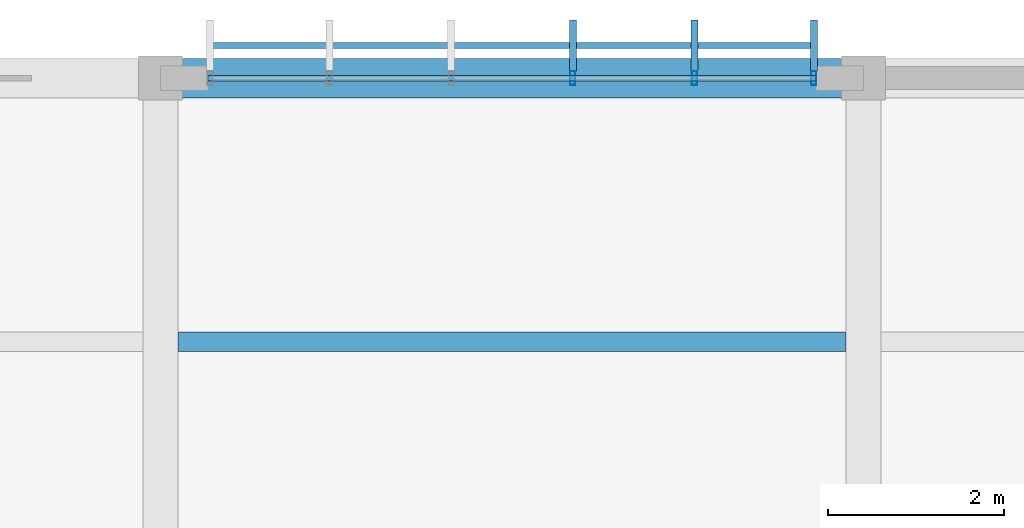
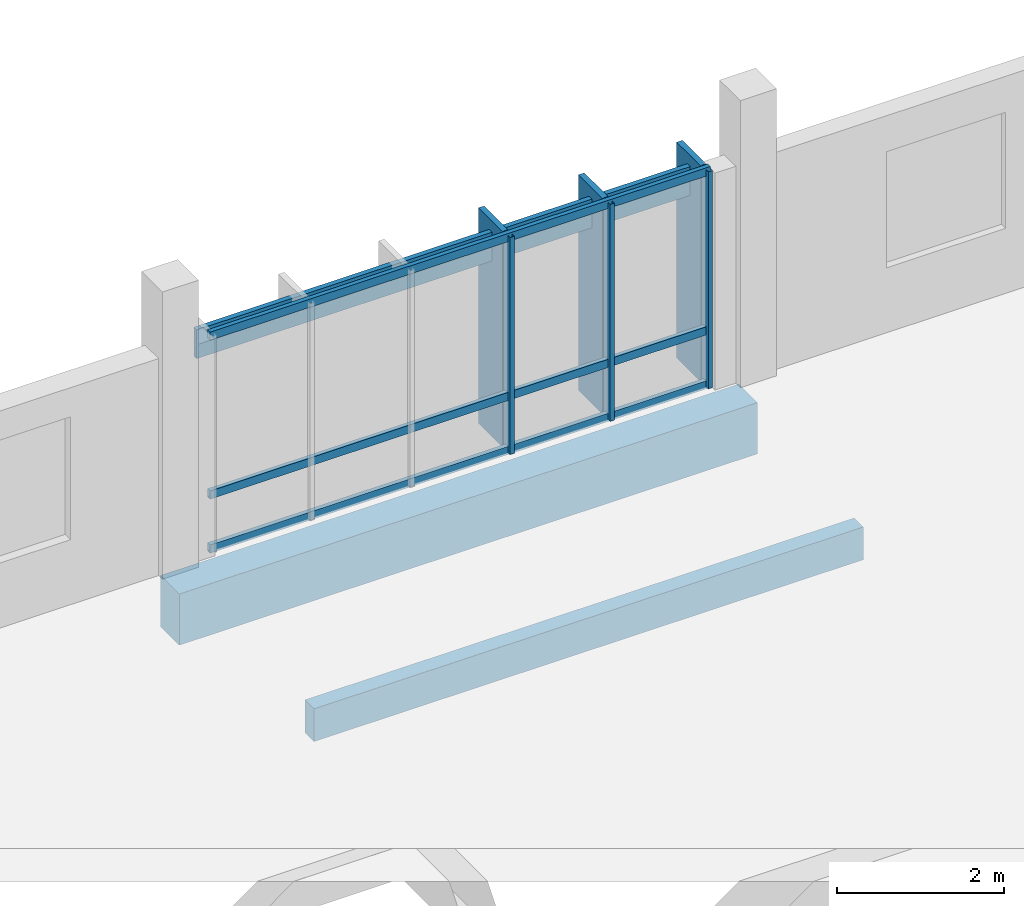
# One storey, part 126 of 182: 10 members, 2 beams, 1 element without a shape of its own.
"""IFC4 building model written with IfcOpenShell, lengths in metres."""

import ifcopenshell
import ifcopenshell.guid

model = None  # the IFC model being written
_history = None  # IfcOwnerHistory: only IFC2X3 demands one
_inside = {}  # id of a spatial element -> (the spatial element, [elements in it])
_under = {}  # id of a project, library or spatial element -> (it, [spatial elements below it])
_declared = {}  # id of a project -> (the project, [libraries it declares])
_typed = {}  # id of a type object -> (the type object, [elements of that type])
_made_of = {}  # id of a material, layer set ... -> (it, [elements and type objects made of it])


def new_model(schema):
    """Start an empty IFC model of exactly this schema.

    Asked for "IFC4X3", IfcOpenShell would pick the latest addendum, in which some entities
    have other attributes; the version numbers below select the first issue.
    IFC2X3 requires an IfcOwnerHistory on every rooted entity: one is made here for all.
    """
    global model, _history
    if schema == "IFC4X3":
        model = ifcopenshell.file(schema_version=(4, 3, 0, 0))
    else:
        model = ifcopenshell.file(schema=schema)
    _inside.clear()
    _under.clear()
    _declared.clear()
    _typed.clear()
    _made_of.clear()
    _history = None
    if model.schema == "IFC2X3":
        org = make("IfcOrganization", Name="unknown")
        user = make(
            "IfcPersonAndOrganization",
            ThePerson=make("IfcPerson", FamilyName="unknown"),
            TheOrganization=org,
        )
        app = make(
            "IfcApplication",
            ApplicationDeveloper=org,
            Version="unknown",
            ApplicationFullName="unknown",
            ApplicationIdentifier="unknown",
        )
        _history = make(
            "IfcOwnerHistory",
            OwningUser=user,
            OwningApplication=app,
            ChangeAction="ADDED",
            CreationDate=0,
        )
    return model


def make(cls, **values):
    """One entity of the class cls with the attributes given. An attribute that is None is left unset."""
    return model.create_entity(
        cls, **{name: value for name, value in values.items() if value is not None}
    )


def rooted(cls, **values):
    """An entity with a GlobalId (a new one), such as an element, a storey or a relation."""
    return make(cls, GlobalId=ifcopenshell.guid.new(), OwnerHistory=_history, **values)


def si_unit(unit_type, name, prefix=None):
    """IfcSIUnit, for example si_unit("LENGTHUNIT", "METRE", prefix="MILLI")."""
    return make("IfcSIUnit", UnitType=unit_type, Prefix=prefix, Name=name)


def assignment(units):
    """IfcUnitAssignment: the units of a project."""
    return None if units is None else make("IfcUnitAssignment", Units=units)


def point(xyz):
    """IfcCartesianPoint."""
    return None if xyz is None else make("IfcCartesianPoint", Coordinates=xyz)


def direction(xyz):
    """IfcDirection."""
    return None if xyz is None else make("IfcDirection", DirectionRatios=xyz)


def frame(location, z_axis=None, x_axis=None):
    """IfcAxis2Placement3D, a coordinate frame: its origin and axes. An axis left out is left unset."""
    return make(
        "IfcAxis2Placement3D",
        Location=point(location),
        Axis=direction(z_axis),
        RefDirection=direction(x_axis),
    )


def frame_2d(location, x_axis=None):
    """IfcAxis2Placement2D, a coordinate frame in the plane: its origin and x axis."""
    return make(
        "IfcAxis2Placement2D", Location=point(location), RefDirection=direction(x_axis)
    )


def origin():
    """The frame at (0, 0, 0) with its axes left unset."""
    return frame((0.0, 0.0, 0.0))


def origin_2d():
    """The frame at (0, 0) in the plane with its x axis left unset."""
    return frame_2d((0.0, 0.0))


def place(relative_to, where):
    """IfcLocalPlacement: puts the frame where relative to a parent placement (None: the world)."""
    return make(
        "IfcLocalPlacement", PlacementRelTo=relative_to, RelativePlacement=where
    )


def context(
    kind, dimensions, precision=None, world=None, true_north=None, identifier=None
):
    """IfcGeometricRepresentationContext, for example the 3D "Model" context."""
    return make(
        "IfcGeometricRepresentationContext",
        ContextIdentifier=identifier,
        ContextType=kind,
        CoordinateSpaceDimension=dimensions,
        Precision=precision,
        WorldCoordinateSystem=world,
        TrueNorth=true_north,
    )


def subcontext(parent, identifier, kind, view, scale=None):
    """IfcGeometricRepresentationSubContext, for example "Body" below "Model"."""
    return make(
        "IfcGeometricRepresentationSubContext",
        ContextIdentifier=identifier,
        ContextType=kind,
        ParentContext=parent,
        TargetScale=scale,
        TargetView=view,
    )


def project(units=None, contexts=None):
    """IfcProject with its units and contexts."""
    return rooted(
        "IfcProject",
        Name="project",
        RepresentationContexts=contexts,
        UnitsInContext=assignment(units),
    )


def spatial(cls, under=None, at=None, **own):
    """A site, building, storey or space (cls), placed at a placement, below another one or the project."""
    s = rooted(cls, ObjectPlacement=at, **own)
    if under is not None:
        _under.setdefault(under.id(), (under, []))[1].append(s)
    return s


def profile(cls, at=None, kind="AREA", **sizes):
    """A parametric profile (cls). Its sizes go by their IFC names, for example OverallWidth=200.0."""
    return make(cls, ProfileType=kind, Position=at, **sizes)


def rectangle(**sizes):
    """IfcRectangleProfileDef."""
    return profile("IfcRectangleProfileDef", **sizes)


def hollow_rectangle(**sizes):
    """IfcRectangleHollowProfileDef."""
    return profile("IfcRectangleHollowProfileDef", **sizes)


def extrude(swept, where, along, depth):
    """IfcExtrudedAreaSolid: the profile swept, set in the frame where, extruded along a direction by depth."""
    return make(
        "IfcExtrudedAreaSolid",
        SweptArea=swept,
        Position=where,
        ExtrudedDirection=direction(along),
        Depth=depth,
    )


def shape(context_of_items, identifier, shape_type, items):
    """IfcShapeRepresentation: the items that make up one representation, for example the "Body"."""
    return make(
        "IfcShapeRepresentation",
        ContextOfItems=context_of_items,
        RepresentationIdentifier=identifier,
        RepresentationType=shape_type,
        Items=items,
    )


def material(Name=None, Category=None):
    """IfcMaterial."""
    return make("IfcMaterial", Name=Name, Category=Category)


def material_profile(
    of_material, cross_section, Name=None, Category=None, Priority=None
):
    """IfcMaterialProfile: a cross section and its material."""
    return make(
        "IfcMaterialProfile",
        Name=Name,
        Material=of_material,
        Profile=cross_section,
        Priority=Priority,
        Category=Category,
    )


def profile_set(profiles, Name=None, composite=None):
    """IfcMaterialProfileSet."""
    return make(
        "IfcMaterialProfileSet",
        Name=Name,
        MaterialProfiles=profiles,
        CompositeProfile=composite,
    )


def made_of(thing, what):
    """Note that an element or type object is made of a material, layer set ...; save() writes the relation."""
    if what is not None:
        _made_of.setdefault(what.id(), (what, []))[1].append(thing)
    return thing


def type_object(cls, material=None, **own):
    """A type object (cls), such as IfcWallType, which elements share."""
    return made_of(rooted(cls, **own), material)


def element(
    cls,
    number,
    at=None,
    inside=None,
    cuts=None,
    type_object=None,
    material=None,
    context=None,
    identifier="Body",
    shape_type=None,
    held_by="IfcProductDefinitionShape",
    body=None,
    shapes=None,
    **own,
):
    """One element of the class cls, such as IfcWall. Its Tag is "e" and its number.

    at: its placement. inside: the storey or other place that contains it. cuts: it is an
    opening in that element (IfcRelVoidsElement). A single representation is given by context,
    identifier, shape_type and body (its items); several are given by shapes. held_by: the class
    of the entity that holds the representations. save() writes the other relations.
    """
    e = rooted(cls, Tag="e%d" % number, ObjectPlacement=at, **own)
    if body is not None:
        shapes = [shape(context, identifier, shape_type, body)]
    if shapes is not None:
        e.Representation = make(held_by, Representations=shapes)
    if inside is not None:
        _inside.setdefault(inside.id(), (inside, []))[1].append(e)
    if cuts is not None:
        rooted(
            "IfcRelVoidsElement", RelatingBuildingElement=cuts, RelatedOpeningElement=e
        )
    if type_object is not None:
        _typed.setdefault(type_object.id(), (type_object, []))[1].append(e)
    return made_of(e, material)


def aggregate(whole, parts):
    """IfcRelAggregates: a whole, such as a stair, and the parts it consists of."""
    return rooted("IfcRelAggregates", RelatingObject=whole, RelatedObjects=parts)


def save(model, path):
    """Write the relations noted so far, then the file.

    IfcRelAggregates (storeys below a building ...), IfcRelContainedInSpatialStructure (elements
    in a storey), IfcRelDefinesByType, IfcRelAssociatesMaterial and IfcRelDeclares: one each for
    every whole, place, type object, material and project.
    """
    for whole, parts in _under.values():
        aggregate(whole, parts)
    for where, things in _inside.values():
        rooted(
            "IfcRelContainedInSpatialStructure",
            RelatedElements=things,
            RelatingStructure=where,
        )
    for kind, things in _typed.values():
        rooted("IfcRelDefinesByType", RelatedObjects=things, RelatingType=kind)
    for what, things in _made_of.values():
        rooted("IfcRelAssociatesMaterial", RelatedObjects=things, RelatingMaterial=what)
    for by, libraries in _declared.values():
        rooted("IfcRelDeclares", RelatingContext=by, RelatedDefinitions=libraries)
    model.write(path)


model = new_model("IFC4")

# Units and contexts
model_context = context("Model", 3, precision=1e-05, world=origin(), true_north=direction((0.0, 1.0)))
body_context = subcontext(model_context, "Body", "Model", "MODEL_VIEW")
ifc_project = project(units=[si_unit("LENGTHUNIT", "METRE"), si_unit("AREAUNIT", "SQUARE_METRE"), si_unit("VOLUMEUNIT", "CUBIC_METRE"), si_unit("PLANEANGLEUNIT", "RADIAN"), si_unit("MASSUNIT", "GRAM", prefix="KILO")], contexts=[model_context])

# Site, building, storey
site_placement = place(None, origin())
site = spatial("IfcSite", under=ifc_project, at=site_placement, CompositionType="ELEMENT")
building_placement = place(site_placement, origin())
building = spatial("IfcBuilding", under=site, at=building_placement, Name="Chiffa Square Polytechnic", CompositionType="ELEMENT")
storey_placement = place(building_placement, frame((0.0, 0.0, 9.60009765625)))
storey = spatial("IfcBuildingStorey", under=building, at=storey_placement, Name="L02", CompositionType="ELEMENT", Elevation=9.60009765625)

# Beam
ifc_material_1 = material(Name="Concrete C35/45", Category="concrete")
ifc_material_profile_1 = material_profile(ifc_material_1, rectangle(XDim=0.449951171875, YDim=0.75, at=origin_2d()), Name="RC 450x750")
ifc_profile_set_1 = profile_set([ifc_material_profile_1], Name="Concrete C35/45")
beam_type_1 = type_object("IfcBeamType", Name="BM-RC-450X750", PredefinedType="BEAM", material=ifc_profile_set_1)
beam_1_placement = place(storey_placement, frame((8.0, 130.800048828125, -0.695068359375), z_axis=(1.0, 0.0, 0.0), x_axis=(0.0, 1.0, 0.0)))
element("IfcBeam", 1, at=beam_1_placement, inside=storey, type_object=beam_type_1, Name="Primary floor girder BM-V5-L02-X-0080-1308", PredefinedType="BEAM", context=body_context, shape_type="SweptSolid", body=[
    extrude(rectangle(XDim=0.449951171875, YDim=0.75, at=origin_2d()), origin(), (0.0, 0.0, 1.0), 8.0),
])

# Curtain wall, members
ifc_material_2 = material(Name="Aluminium EN AW-6060 T66 and glulam shading", Category="wood")
curtain_wall_type = type_object("IfcCurtainWallType", Name="CW-VERT-540X440", PredefinedType="USERDEFINED", material=ifc_material_2)
curtain_wall_placement = place(storey_placement, origin())
curtain_wall = element("IfcCurtainWall", 2, at=curtain_wall_placement, inside=storey, type_object=curtain_wall_type, Name="Curtain wall CW-V5-L02-223", ObjectType="CURTAIN WALL", PredefinedType="USERDEFINED")
ifc_material_3 = material(Name="Aluminium EN AW-6060 T66", Category="aluminium")
ifc_material_profile_2 = material_profile(ifc_material_3, hollow_rectangle(XDim=0.06005859375, YDim=0.159912109375, WallThickness=0.00390625, at=origin_2d()), Name="ALU 60x160x4")
ifc_profile_set_2 = profile_set([ifc_material_profile_2], Name="Aluminium EN AW-6060 T66")
member_type_1 = type_object("IfcMemberType", Name="CWM-ALU-65X150", PredefinedType="MULLION", material=ifc_profile_set_2)
member_1_placement = place(storey_placement, frame((15.43505859375, 130.800048828125, 0.0), z_axis=(0.0, 0.0, 1.0), x_axis=(1.0, 0.0, 0.0)))
member_1 = element("IfcMember", 3, at=member_1_placement, type_object=member_type_1, Name="Curtain wall mullion CW-V5-L02-223-M00", PredefinedType="MULLION", context=body_context, shape_type="SweptSolid", body=[
    extrude(hollow_rectangle(XDim=0.06005859375, YDim=0.159912109375, WallThickness=0.00390625, at=origin_2d()), origin(), (0.0, 0.0, 1.0), 3.1748046875),
])
member_2_placement = place(storey_placement, frame((14.075927734375, 130.800048828125, 0.0), z_axis=(0.0, 0.0, 1.0), x_axis=(1.0, 0.0, 0.0)))
member_2 = element("IfcMember", 4, at=member_2_placement, type_object=member_type_1, Name="Curtain wall mullion CW-V5-L02-223-M01", PredefinedType="MULLION", context=body_context, shape_type="SweptSolid", body=[
    extrude(hollow_rectangle(XDim=0.06005859375, YDim=0.159912109375, WallThickness=0.00390625, at=origin_2d()), origin(), (0.0, 0.0, 1.0), 3.1748046875),
])
member_3_placement = place(storey_placement, frame((12.69189453125, 130.800048828125, 0.0), z_axis=(0.0, 0.0, 1.0), x_axis=(1.0, 0.0, 0.0)))
member_3 = element("IfcMember", 5, at=member_3_placement, type_object=member_type_1, Name="Curtain wall mullion CW-V5-L02-223-M02", PredefinedType="MULLION", context=body_context, shape_type="SweptSolid", body=[
    extrude(hollow_rectangle(XDim=0.06005859375, YDim=0.159912109375, WallThickness=0.00390625, at=origin_2d()), origin(), (0.0, 0.0, 1.0), 3.1748046875),
])
ifc_material_4 = material(Name="Glulam GL28h", Category="wood")
ifc_material_profile_3 = material_profile(ifc_material_4, rectangle(XDim=0.080078125, YDim=0.580078125, at=origin_2d()), Name="GL28h 80x580")
ifc_profile_set_3 = profile_set([ifc_material_profile_3], Name="Glulam GL28h")
member_type_2 = type_object("IfcMemberType", Name="CWM-GL-80X580", PredefinedType="MULLION", material=ifc_profile_set_3)
member_4_placement = place(storey_placement, frame((15.43505859375, 131.172119140625, 0.010009765625), z_axis=(0.0, 0.0, 1.0), x_axis=(-1.0, 0.0, 0.0)))
member_4 = element("IfcMember", 6, at=member_4_placement, type_object=member_type_2, Name="Exterior glulam solar fin CW-V5-L02-223-FN00", PredefinedType="MULLION", context=body_context, shape_type="SweptSolid", body=[
    extrude(rectangle(XDim=0.080078125, YDim=0.580078125, at=origin_2d()), origin(), (0.0, 0.0, 1.0), 3.15478515625),
])
member_5_placement = place(storey_placement, frame((14.075927734375, 131.172119140625, 0.010009765625), z_axis=(0.0, 0.0, 1.0), x_axis=(-1.0, 0.0, 0.0)))
member_5 = element("IfcMember", 7, at=member_5_placement, type_object=member_type_2, Name="Exterior glulam solar fin CW-V5-L02-223-FN01", PredefinedType="MULLION", context=body_context, shape_type="SweptSolid", body=[
    extrude(rectangle(XDim=0.080078125, YDim=0.580078125, at=origin_2d()), origin(), (0.0, 0.0, 1.0), 3.15478515625),
])
member_6_placement = place(storey_placement, frame((12.69189453125, 131.172119140625, 0.010009765625), z_axis=(0.0, 0.0, 1.0), x_axis=(-1.0, 0.0, 0.0)))
member_6 = element("IfcMember", 8, at=member_6_placement, type_object=member_type_2, Name="Exterior glulam solar fin CW-V5-L02-223-FN02", PredefinedType="MULLION", context=body_context, shape_type="SweptSolid", body=[
    extrude(rectangle(XDim=0.080078125, YDim=0.580078125, at=origin_2d()), origin(), (0.0, 0.0, 1.0), 3.15478515625),
])
ifc_material_profile_4 = material_profile(ifc_material_3, hollow_rectangle(XDim=0.06005859375, YDim=0.1201171875, WallThickness=0.00390625, at=origin_2d()), Name="ALU 60x120x4")
ifc_profile_set_4 = profile_set([ifc_material_profile_4], Name="Aluminium EN AW-6060 T66")
member_type_3 = type_object("IfcMemberType", Name="CWT-ALU-65X120", PredefinedType="USERDEFINED", material=ifc_profile_set_4)
member_7_placement = place(storey_placement, frame((15.4619140625, 130.800048828125, 0.02978515625), z_axis=(-1.0, 0.0, 0.0), x_axis=(0.0, -1.0, 0.0)))
member_7 = element("IfcMember", 9, at=member_7_placement, type_object=member_type_3, Name="Curtain wall transom CW-V5-L02-223-T01", ObjectType="TRANSOM", PredefinedType="USERDEFINED", context=body_context, shape_type="SweptSolid", body=[
    extrude(hollow_rectangle(XDim=0.06005859375, YDim=0.1201171875, WallThickness=0.00390625, at=origin_2d()), origin(), (0.0, 0.0, 1.0), 6.923828125),
])
member_8_placement = place(storey_placement, frame((15.4619140625, 130.800048828125, 0.81982421875), z_axis=(-1.0, 0.0, 0.0), x_axis=(0.0, -1.0, 0.0)))
member_8 = element("IfcMember", 10, at=member_8_placement, type_object=member_type_3, Name="Curtain wall transom CW-V5-L02-223-T02", ObjectType="TRANSOM", PredefinedType="USERDEFINED", context=body_context, shape_type="SweptSolid", body=[
    extrude(hollow_rectangle(XDim=0.06005859375, YDim=0.1201171875, WallThickness=0.00390625, at=origin_2d()), origin(), (0.0, 0.0, 1.0), 6.923828125),
])
member_9_placement = place(storey_placement, frame((15.4619140625, 130.800048828125, 3.14501953125), z_axis=(-1.0, 0.0, 0.0), x_axis=(0.0, -1.0, 0.0)))
member_9 = element("IfcMember", 11, at=member_9_placement, type_object=member_type_3, Name="Curtain wall transom CW-V5-L02-223-T03", ObjectType="TRANSOM", PredefinedType="USERDEFINED", context=body_context, shape_type="SweptSolid", body=[
    extrude(hollow_rectangle(XDim=0.06005859375, YDim=0.1201171875, WallThickness=0.00390625, at=origin_2d()), origin(), (0.0, 0.0, 1.0), 6.923828125),
])
ifc_material_profile_5 = material_profile(ifc_material_4, rectangle(XDim=0.070068359375, YDim=0.419921875, at=origin_2d()), Name="GL28h 70x420")
ifc_profile_set_5 = profile_set([ifc_material_profile_5], Name="Glulam GL28h")
member_type_4 = type_object("IfcMemberType", Name="CWT-GL-70X420", PredefinedType="USERDEFINED", material=ifc_profile_set_5)
member_10_placement = place(storey_placement, frame((15.43505859375, 131.172119140625, 2.794921875), z_axis=(-1.0, 0.0, 0.0), x_axis=(0.0, -1.0, 0.0)))
member_10 = element("IfcMember", 12, at=member_10_placement, type_object=member_type_4, Name="Exterior glulam brise-soleil CW-V5-L02-223-BS01", ObjectType="TRANSOM", PredefinedType="USERDEFINED", context=body_context, shape_type="SweptSolid", body=[
    extrude(rectangle(XDim=0.070068359375, YDim=0.419921875, at=origin_2d()), origin(), (0.0, 0.0, 1.0), 6.8701171875),
])
aggregate(curtain_wall, [member_1, member_4, member_2, member_5, member_3, member_6, member_7, member_8, member_9, member_10])

# Beam
ifc_material_profile_6 = material_profile(ifc_material_4, rectangle(XDim=0.219970703125, YDim=0.47998046875, at=origin_2d()), Name="GL28h 220x480")
ifc_profile_set_6 = profile_set([ifc_material_profile_6], Name="Glulam GL28h")
beam_type_2 = type_object("IfcBeamType", Name="JST-GL-220X480", PredefinedType="JOIST", material=ifc_profile_set_6)
beam_2_placement = place(storey_placement, frame((8.197998046875, 127.800048828125, -0.56005859375), z_axis=(1.0, 0.0, 0.0), x_axis=(0.0, 1.0, 0.0)))
element("IfcBeam", 13, at=beam_2_placement, inside=storey, type_object=beam_type_2, Name="Secondary floor joist JST-V5-L02-0080-1278", PredefinedType="JOIST", context=body_context, shape_type="SweptSolid", body=[
    extrude(rectangle(XDim=0.219970703125, YDim=0.47998046875, at=origin_2d()), origin(), (0.0, 0.0, 1.0), 7.60400390625),
])

save(model, "model.ifc")
